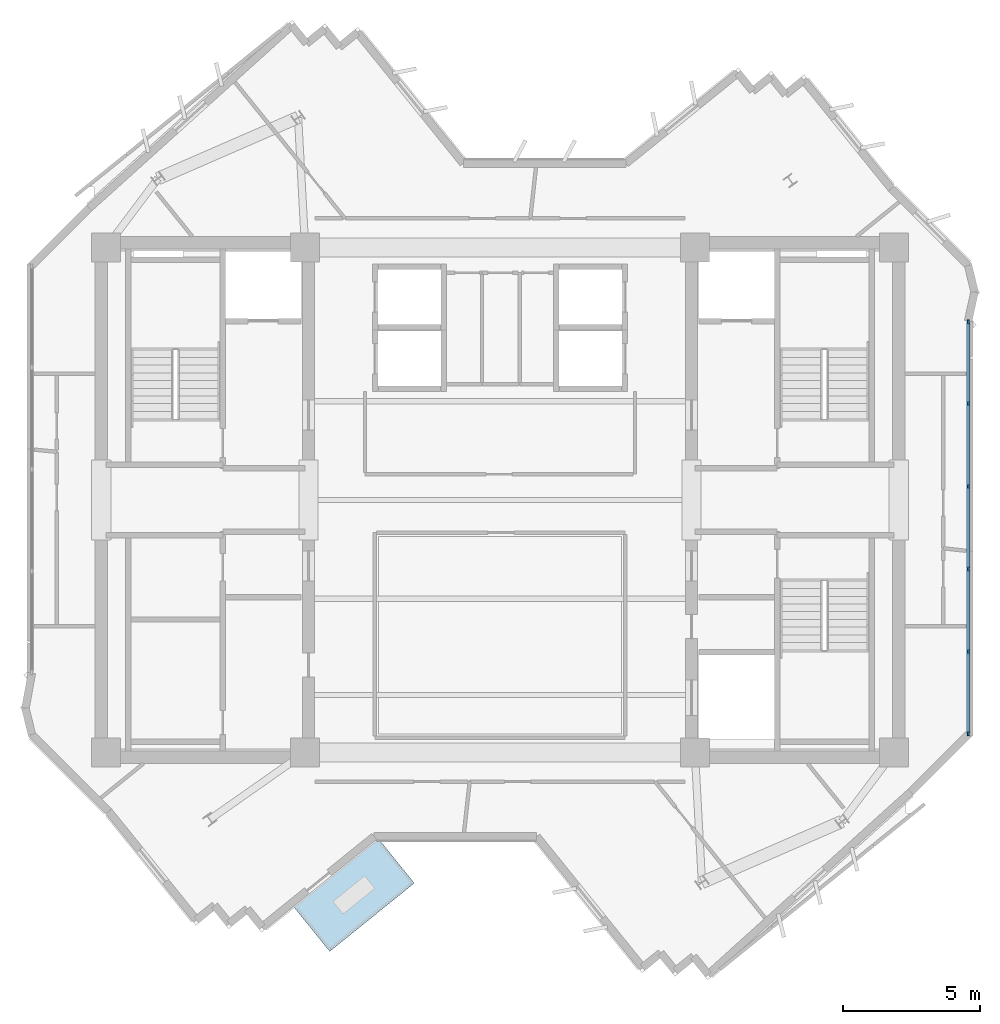
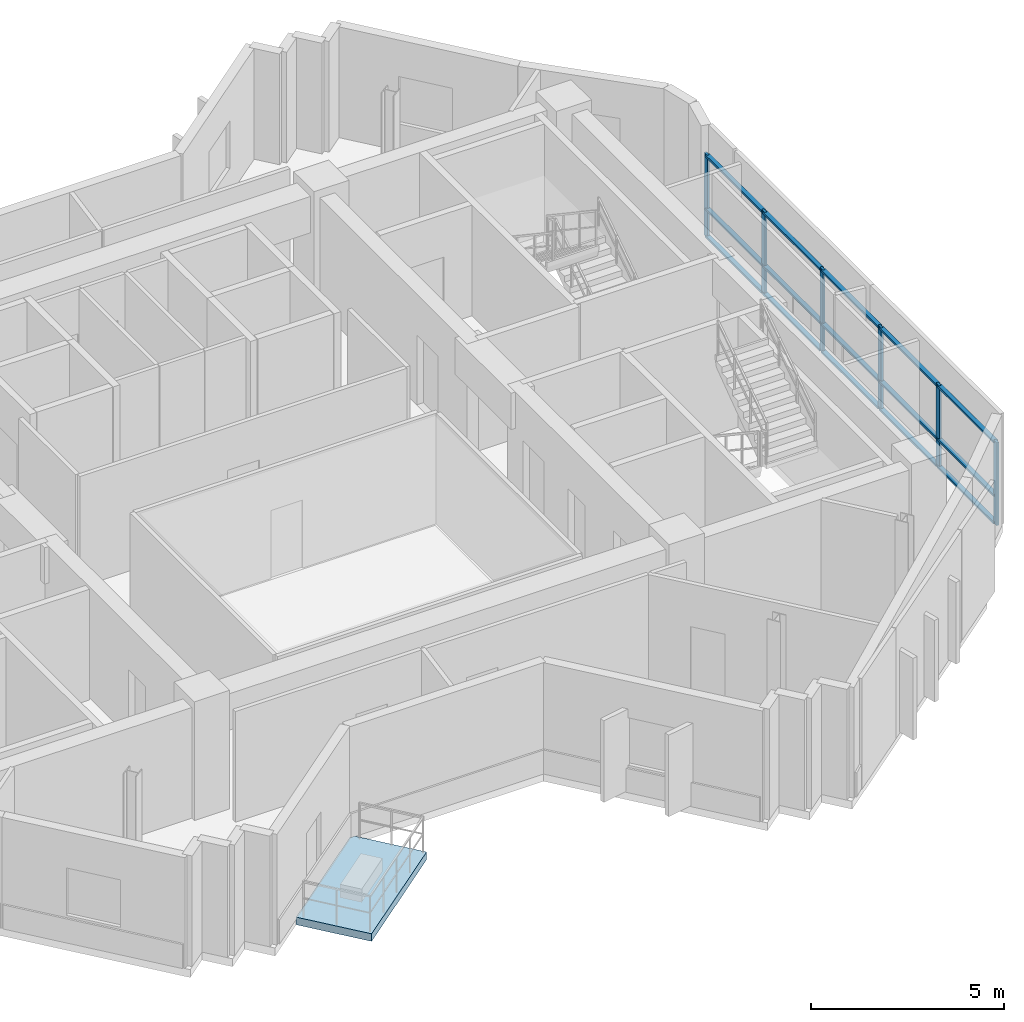
# One storey, part 4 of 11: 21 members, 1 slab, 1 element without a shape of its own.
"""IFC4 building model written with IfcOpenShell, lengths in metres."""

from ifc_helpers import new_model, si_unit, direction, frame, origin, origin_2d, place, context, subcontext, project, spatial, polyline, rectangle, outline, extrude, source, transform, mapped, material, layer, layer_set, material_profile, profile_set, type_object, element, aggregate, save


model = new_model("IFC4")

# Units and contexts
model_context = context("Model", 3, precision=1e-05, world=origin(), true_north=direction((0.0, 1.0)))
body_context = subcontext(model_context, "Body", "Model", "MODEL_VIEW")
ifc_project = project(units=[si_unit("LENGTHUNIT", "METRE"), si_unit("AREAUNIT", "SQUARE_METRE"), si_unit("VOLUMEUNIT", "CUBIC_METRE"), si_unit("PLANEANGLEUNIT", "RADIAN"), si_unit("MASSUNIT", "GRAM", prefix="KILO")], contexts=[model_context])

# Site, building, storey
site_placement = place(None, origin())
site = spatial("IfcSite", under=ifc_project, at=site_placement, CompositionType="ELEMENT")
building_placement = place(site_placement, origin())
building = spatial("IfcBuilding", under=site, at=building_placement, Name="Zahravan Cultural Tower", CompositionType="ELEMENT")
storey_placement = place(building_placement, frame((0.0, 0.0, 287.85009765625)))
storey = spatial("IfcBuildingStorey", under=building, at=storey_placement, Name="L69", CompositionType="ELEMENT", Elevation=287.85009765625)

# Curtain wall, members
ifc_material_1 = material(Name="Anodised bronze-aluminium mullion", Category="aluminium")
ifc_layer_1 = layer(ifc_material_1, 0.1650390625)
ifc_layer_set_1 = layer_set([ifc_layer_1], Name="Anodised bronze-aluminium mullion")
curtain_wall_type = type_object("IfcCurtainWallType", Name="CW-SYS-4", PredefinedType="USERDEFINED", material=ifc_layer_set_1)
curtain_wall_placement = place(storey_placement, origin())
curtain_wall = element("IfcCurtainWall", 1, at=curtain_wall_placement, inside=storey, type_object=curtain_wall_type, Name="L69 Recessed Curtain Wall CW-4.2", ObjectType="RECESSED GLAZING", PredefinedType="USERDEFINED")
ifc_material_profile_1 = material_profile(ifc_material_1, rectangle(XDim=0.06494140625, YDim=0.1650390625, at=origin_2d()), Name="AL-M65X165")
ifc_profile_set_1 = profile_set([ifc_material_profile_1], Name="Anodised bronze-aluminium mullion")
member_type_1 = type_object("IfcMemberType", Name="CWM-CW-4", PredefinedType="MULLION", material=ifc_profile_set_1)
shared_shape_1 = source(origin(), body_context, "Body", "SweptSolid", [
    extrude(rectangle(XDim=0.06494140625, YDim=0.1650390625, at=origin_2d()), origin(), (0.0, 0.0, 1.0), 2.619873046875),
])
member_1_placement = place(storey_placement, frame((53.06005859375, 33.48828125, 0.0), z_axis=(0.0, 0.0, 1.0), x_axis=(1.0, 0.0, 0.0)))
member_1 = element("IfcMember", 2, at=member_1_placement, type_object=member_type_1, Name="CW-4 mullion 1", PredefinedType="MULLION", context=body_context, shape_type="MappedRepresentation", body=[
    mapped(shared_shape_1, transform((0.0, 0.0, 0.0), x_axis=(1.0, 0.0, 0.0), y_axis=(0.0, 1.0, 0.0), z_axis=(0.0, 0.0, 1.0), scale=1.0)),
])
member_2_placement = place(storey_placement, frame((53.06005859375, 30.50830078125, 0.0), z_axis=(0.0, 0.0, 1.0), x_axis=(1.0, 0.0, 0.0)))
member_2 = element("IfcMember", 3, at=member_2_placement, type_object=member_type_1, Name="CW-4 mullion 2", PredefinedType="MULLION", context=body_context, shape_type="MappedRepresentation", body=[
    mapped(shared_shape_1, transform((0.0, 0.0, 0.0), x_axis=(1.0, 0.0, 0.0), y_axis=(0.0, 1.0, 0.0), z_axis=(0.0, 0.0, 1.0), scale=1.0)),
])
member_3_placement = place(storey_placement, frame((53.06005859375, 27.49560546875, 0.0), z_axis=(0.0, 0.0, 1.0), x_axis=(1.0, 0.0, 0.0)))
member_3 = element("IfcMember", 4, at=member_3_placement, type_object=member_type_1, Name="CW-4 mullion 3", PredefinedType="MULLION", context=body_context, shape_type="MappedRepresentation", body=[
    mapped(shared_shape_1, transform((0.0, 0.0, 0.0), x_axis=(1.0, 0.0, 0.0), y_axis=(0.0, 1.0, 0.0), z_axis=(0.0, 0.0, 1.0), scale=1.0)),
])
member_4_placement = place(storey_placement, frame((53.06005859375, 24.483154296875, 0.0), z_axis=(0.0, 0.0, 1.0), x_axis=(1.0, 0.0, 0.0)))
member_4 = element("IfcMember", 5, at=member_4_placement, type_object=member_type_1, Name="CW-4 mullion 4", PredefinedType="MULLION", context=body_context, shape_type="MappedRepresentation", body=[
    mapped(shared_shape_1, transform((0.0, 0.0, 0.0), x_axis=(1.0, 0.0, 0.0), y_axis=(0.0, 1.0, 0.0), z_axis=(0.0, 0.0, 1.0), scale=1.0)),
])
member_5_placement = place(storey_placement, frame((53.06005859375, 21.470458984375, 0.0), z_axis=(0.0, 0.0, 1.0), x_axis=(1.0, 0.0, 0.0)))
member_5 = element("IfcMember", 6, at=member_5_placement, type_object=member_type_1, Name="CW-4 mullion 5", PredefinedType="MULLION", context=body_context, shape_type="MappedRepresentation", body=[
    mapped(shared_shape_1, transform((0.0, 0.0, 0.0), x_axis=(1.0, 0.0, 0.0), y_axis=(0.0, 1.0, 0.0), z_axis=(0.0, 0.0, 1.0), scale=1.0)),
])
member_6_placement = place(storey_placement, frame((53.06005859375, 18.490478515625, 0.0), z_axis=(0.0, 0.0, 1.0), x_axis=(1.0, 0.0, 0.0)))
member_6 = element("IfcMember", 7, at=member_6_placement, type_object=member_type_1, Name="CW-4 mullion 6", PredefinedType="MULLION", context=body_context, shape_type="MappedRepresentation", body=[
    mapped(shared_shape_1, transform((0.0, 0.0, 0.0), x_axis=(1.0, 0.0, 0.0), y_axis=(0.0, 1.0, 0.0), z_axis=(0.0, 0.0, 1.0), scale=1.0)),
])
ifc_material_profile_2 = material_profile(ifc_material_1, rectangle(XDim=0.1298828125, YDim=0.06494140625, at=origin_2d()), Name="AL-T65X130")
ifc_profile_set_2 = profile_set([ifc_material_profile_2], Name="Anodised bronze-aluminium mullion")
member_type_2 = type_object("IfcMemberType", Name="CWT-CW-4", PredefinedType="USERDEFINED", material=ifc_profile_set_2)
shared_shape_2 = source(origin(), body_context, "Body", "SweptSolid", [
    extrude(rectangle(XDim=0.1298828125, YDim=0.06494140625, at=origin_2d()), origin(), (0.0, 0.0, 1.0), 2.9150390625),
])
member_7_placement = place(storey_placement, frame((53.06005859375, 33.455810546875, 0.032470703125), z_axis=(0.0, -1.0, 0.0), x_axis=(1.0, 0.0, 0.0)))
member_7 = element("IfcMember", 8, at=member_7_placement, type_object=member_type_2, Name="CW-4 transom 1.1", ObjectType="TRANSOM", PredefinedType="USERDEFINED", context=body_context, shape_type="MappedRepresentation", body=[
    mapped(shared_shape_2, transform((0.0, 0.0, 0.0), x_axis=(1.0, 0.0, 0.0), y_axis=(0.0, 1.0, 0.0), z_axis=(0.0, 0.0, 1.0), scale=1.0)),
])
member_8_placement = place(storey_placement, frame((53.06005859375, 33.455810546875, 0.89990234375), z_axis=(0.0, -1.0, 0.0), x_axis=(1.0, 0.0, 0.0)))
member_8 = element("IfcMember", 9, at=member_8_placement, type_object=member_type_2, Name="CW-4 transom 1.2", ObjectType="TRANSOM", PredefinedType="USERDEFINED", context=body_context, shape_type="MappedRepresentation", body=[
    mapped(shared_shape_2, transform((0.0, 0.0, 0.0), x_axis=(1.0, 0.0, 0.0), y_axis=(0.0, 1.0, 0.0), z_axis=(0.0, 0.0, 1.0), scale=1.0)),
])
member_9_placement = place(storey_placement, frame((53.06005859375, 33.455810546875, 2.58740234375), z_axis=(0.0, -1.0, 0.0), x_axis=(1.0, 0.0, 0.0)))
member_9 = element("IfcMember", 10, at=member_9_placement, type_object=member_type_2, Name="CW-4 transom 1.3", ObjectType="TRANSOM", PredefinedType="USERDEFINED", context=body_context, shape_type="MappedRepresentation", body=[
    mapped(shared_shape_2, transform((0.0, 0.0, 0.0), x_axis=(1.0, 0.0, 0.0), y_axis=(0.0, 1.0, 0.0), z_axis=(0.0, 0.0, 1.0), scale=1.0)),
])
member_10_placement = place(storey_placement, frame((53.06005859375, 21.43798828125, 0.032470703125), z_axis=(0.0, -1.0, 0.0), x_axis=(1.0, 0.0, 0.0)))
member_10 = element("IfcMember", 11, at=member_10_placement, type_object=member_type_2, Name="CW-4 transom 5.1", ObjectType="TRANSOM", PredefinedType="USERDEFINED", context=body_context, shape_type="MappedRepresentation", body=[
    mapped(shared_shape_2, transform((0.0, 0.0, 0.0), x_axis=(1.0, 0.0, 0.0), y_axis=(0.0, 1.0, 0.0), z_axis=(0.0, 0.0, 1.0), scale=1.0)),
])
member_11_placement = place(storey_placement, frame((53.06005859375, 21.43798828125, 0.89990234375), z_axis=(0.0, -1.0, 0.0), x_axis=(1.0, 0.0, 0.0)))
member_11 = element("IfcMember", 12, at=member_11_placement, type_object=member_type_2, Name="CW-4 transom 5.2", ObjectType="TRANSOM", PredefinedType="USERDEFINED", context=body_context, shape_type="MappedRepresentation", body=[
    mapped(shared_shape_2, transform((0.0, 0.0, 0.0), x_axis=(1.0, 0.0, 0.0), y_axis=(0.0, 1.0, 0.0), z_axis=(0.0, 0.0, 1.0), scale=1.0)),
])
member_12_placement = place(storey_placement, frame((53.06005859375, 21.43798828125, 2.58740234375), z_axis=(0.0, -1.0, 0.0), x_axis=(1.0, 0.0, 0.0)))
member_12 = element("IfcMember", 13, at=member_12_placement, type_object=member_type_2, Name="CW-4 transom 5.3", ObjectType="TRANSOM", PredefinedType="USERDEFINED", context=body_context, shape_type="MappedRepresentation", body=[
    mapped(shared_shape_2, transform((0.0, 0.0, 0.0), x_axis=(1.0, 0.0, 0.0), y_axis=(0.0, 1.0, 0.0), z_axis=(0.0, 0.0, 1.0), scale=1.0)),
])
shared_shape_3 = source(origin(), body_context, "Body", "SweptSolid", [
    extrude(rectangle(XDim=0.1298828125, YDim=0.06494140625, at=origin_2d()), origin(), (0.0, 0.0, 1.0), 2.94775390625),
])
member_13_placement = place(storey_placement, frame((53.06005859375, 30.475830078125, 0.032470703125), z_axis=(0.0, -1.0, 0.0), x_axis=(1.0, 0.0, 0.0)))
member_13 = element("IfcMember", 14, at=member_13_placement, type_object=member_type_2, Name="CW-4 transom 2.1", ObjectType="TRANSOM", PredefinedType="USERDEFINED", context=body_context, shape_type="MappedRepresentation", body=[
    mapped(shared_shape_3, transform((0.0, 0.0, 0.0), x_axis=(1.0, 0.0, 0.0), y_axis=(0.0, 1.0, 0.0), z_axis=(0.0, 0.0, 1.0), scale=1.0)),
])
member_14_placement = place(storey_placement, frame((53.06005859375, 30.475830078125, 0.89990234375), z_axis=(0.0, -1.0, 0.0), x_axis=(1.0, 0.0, 0.0)))
member_14 = element("IfcMember", 15, at=member_14_placement, type_object=member_type_2, Name="CW-4 transom 2.2", ObjectType="TRANSOM", PredefinedType="USERDEFINED", context=body_context, shape_type="MappedRepresentation", body=[
    mapped(shared_shape_3, transform((0.0, 0.0, 0.0), x_axis=(1.0, 0.0, 0.0), y_axis=(0.0, 1.0, 0.0), z_axis=(0.0, 0.0, 1.0), scale=1.0)),
])
member_15_placement = place(storey_placement, frame((53.06005859375, 30.475830078125, 2.58740234375), z_axis=(0.0, -1.0, 0.0), x_axis=(1.0, 0.0, 0.0)))
member_15 = element("IfcMember", 16, at=member_15_placement, type_object=member_type_2, Name="CW-4 transom 2.3", ObjectType="TRANSOM", PredefinedType="USERDEFINED", context=body_context, shape_type="MappedRepresentation", body=[
    mapped(shared_shape_3, transform((0.0, 0.0, 0.0), x_axis=(1.0, 0.0, 0.0), y_axis=(0.0, 1.0, 0.0), z_axis=(0.0, 0.0, 1.0), scale=1.0)),
])
shared_shape_4 = source(origin(), body_context, "Body", "SweptSolid", [
    extrude(rectangle(XDim=0.1298828125, YDim=0.06494140625, at=origin_2d()), origin(), (0.0, 0.0, 1.0), 2.947509765625),
])
member_16_placement = place(storey_placement, frame((53.06005859375, 27.463134765625, 0.032470703125), z_axis=(0.0, -1.0, 0.0), x_axis=(1.0, 0.0, 0.0)))
member_16 = element("IfcMember", 17, at=member_16_placement, type_object=member_type_2, Name="CW-4 transom 3.1", ObjectType="TRANSOM", PredefinedType="USERDEFINED", context=body_context, shape_type="MappedRepresentation", body=[
    mapped(shared_shape_4, transform((0.0, 0.0, 0.0), x_axis=(1.0, 0.0, 0.0), y_axis=(0.0, 1.0, 0.0), z_axis=(0.0, 0.0, 1.0), scale=1.0)),
])
member_17_placement = place(storey_placement, frame((53.06005859375, 27.463134765625, 0.89990234375), z_axis=(0.0, -1.0, 0.0), x_axis=(1.0, 0.0, 0.0)))
member_17 = element("IfcMember", 18, at=member_17_placement, type_object=member_type_2, Name="CW-4 transom 3.2", ObjectType="TRANSOM", PredefinedType="USERDEFINED", context=body_context, shape_type="MappedRepresentation", body=[
    mapped(shared_shape_4, transform((0.0, 0.0, 0.0), x_axis=(1.0, 0.0, 0.0), y_axis=(0.0, 1.0, 0.0), z_axis=(0.0, 0.0, 1.0), scale=1.0)),
])
member_18_placement = place(storey_placement, frame((53.06005859375, 27.463134765625, 2.58740234375), z_axis=(0.0, -1.0, 0.0), x_axis=(1.0, 0.0, 0.0)))
member_18 = element("IfcMember", 19, at=member_18_placement, type_object=member_type_2, Name="CW-4 transom 3.3", ObjectType="TRANSOM", PredefinedType="USERDEFINED", context=body_context, shape_type="MappedRepresentation", body=[
    mapped(shared_shape_4, transform((0.0, 0.0, 0.0), x_axis=(1.0, 0.0, 0.0), y_axis=(0.0, 1.0, 0.0), z_axis=(0.0, 0.0, 1.0), scale=1.0)),
])
member_19_placement = place(storey_placement, frame((53.06005859375, 24.45068359375, 0.032470703125), z_axis=(0.0, -1.0, 0.0), x_axis=(1.0, 0.0, 0.0)))
member_19 = element("IfcMember", 20, at=member_19_placement, type_object=member_type_2, Name="CW-4 transom 4.1", ObjectType="TRANSOM", PredefinedType="USERDEFINED", context=body_context, shape_type="MappedRepresentation", body=[
    mapped(shared_shape_4, transform((0.0, 0.0, 0.0), x_axis=(1.0, 0.0, 0.0), y_axis=(0.0, 1.0, 0.0), z_axis=(0.0, 0.0, 1.0), scale=1.0)),
])
member_20_placement = place(storey_placement, frame((53.06005859375, 24.45068359375, 0.89990234375), z_axis=(0.0, -1.0, 0.0), x_axis=(1.0, 0.0, 0.0)))
member_20 = element("IfcMember", 21, at=member_20_placement, type_object=member_type_2, Name="CW-4 transom 4.2", ObjectType="TRANSOM", PredefinedType="USERDEFINED", context=body_context, shape_type="MappedRepresentation", body=[
    mapped(shared_shape_4, transform((0.0, 0.0, 0.0), x_axis=(1.0, 0.0, 0.0), y_axis=(0.0, 1.0, 0.0), z_axis=(0.0, 0.0, 1.0), scale=1.0)),
])
member_21_placement = place(storey_placement, frame((53.06005859375, 24.45068359375, 2.58740234375), z_axis=(0.0, -1.0, 0.0), x_axis=(1.0, 0.0, 0.0)))
member_21 = element("IfcMember", 22, at=member_21_placement, type_object=member_type_2, Name="CW-4 transom 4.3", ObjectType="TRANSOM", PredefinedType="USERDEFINED", context=body_context, shape_type="MappedRepresentation", body=[
    mapped(shared_shape_4, transform((0.0, 0.0, 0.0), x_axis=(1.0, 0.0, 0.0), y_axis=(0.0, 1.0, 0.0), z_axis=(0.0, 0.0, 1.0), scale=1.0)),
])
aggregate(curtain_wall, [member_1, member_2, member_3, member_4, member_5, member_6, member_7, member_8, member_9, member_13, member_14, member_15, member_16, member_17, member_18, member_19, member_20, member_21, member_10, member_11, member_12])

# Slab
ifc_material_2 = material(Name="Concrete C40/50", Category="concrete")
ifc_layer_2 = layer(ifc_material_2, 0.239990234375)
ifc_layer_set_2 = layer_set([ifc_layer_2], Name="Concrete C40/50")
slab_type = type_object("IfcSlabType", Name="SL-TERR-240", PredefinedType="FLOOR", material=ifc_layer_set_2)
slab_placement = place(storey_placement, frame((0.0, 0.0, -0.239990234375)))
element("IfcSlab", 23, at=slab_placement, inside=storey, type_object=slab_type, Name="L69 Planted Sculpture Terrace SW", PredefinedType="FLOOR", context=body_context, shape_type="SweptSolid", body=[
    extrude(outline(polyline([(32.876708984375, 13.03955078125), (31.62060546875, 14.594970703125), (31.46826171875, 14.594970703125), (28.4794921875, 12.181884765625), (29.79541015625, 10.552001953125), (32.876708984375, 13.03955078125)])), origin(), (0.0, 0.0, 1.0), 0.239990234375),
])

save(model, "model.ifc")
